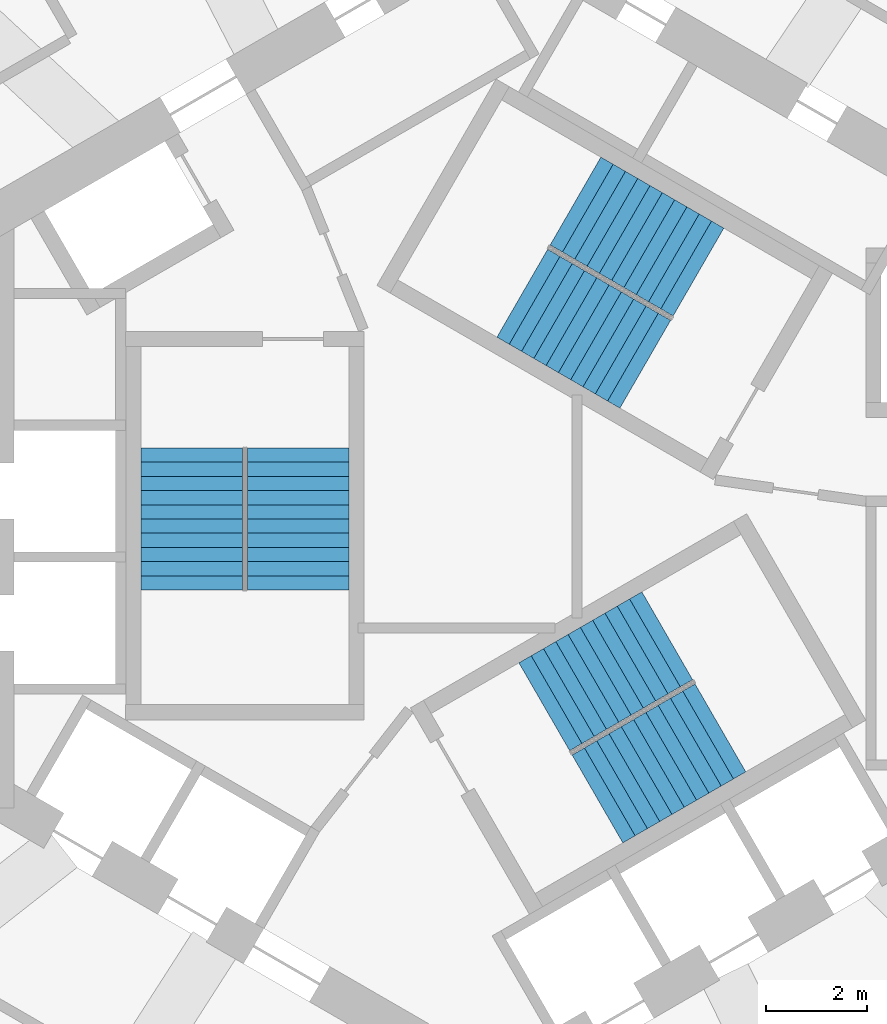
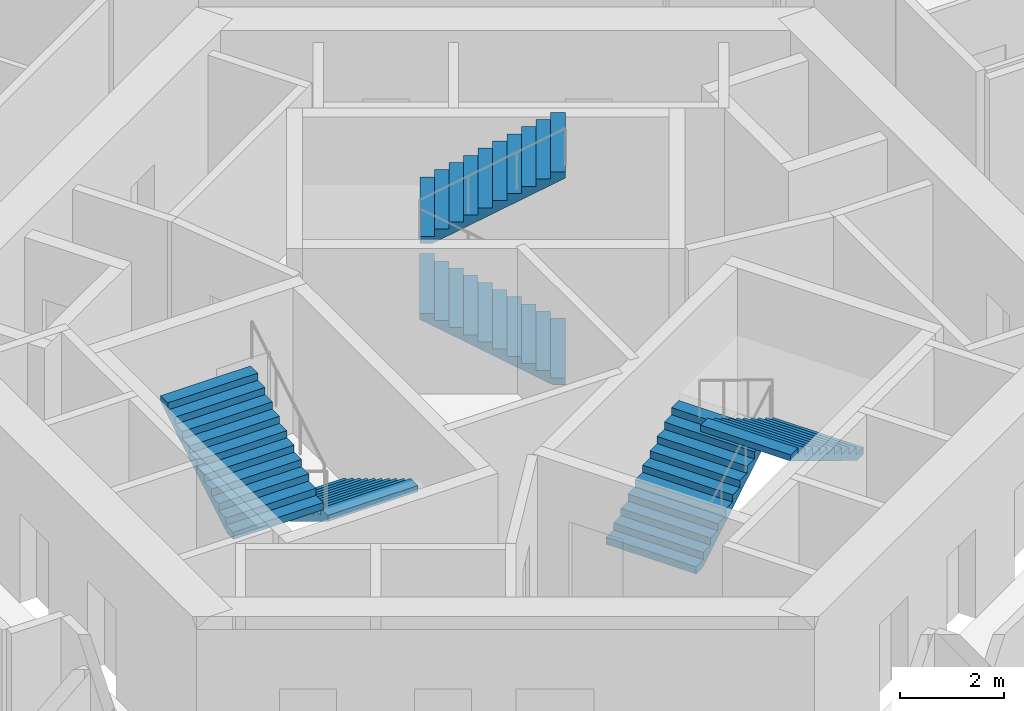
# One storey, part 9 of 11: 6 stair flights, 3 elements without a shape of their own.
"""IFC4 building model written with IfcOpenShell, lengths in metres."""

from ifc_helpers import new_model, si_unit, direction, frame, origin, place, context, subcontext, project, spatial, triangles, source, transform, mapped, material, type_object, element, aggregate, save


model = new_model("IFC4")

# Units and contexts
model_context = context("Model", 3, precision=1e-05, world=origin(), true_north=direction((0.0, 1.0)))
body_context = subcontext(model_context, "Body", "Model", "MODEL_VIEW")
ifc_project = project(units=[si_unit("LENGTHUNIT", "METRE"), si_unit("AREAUNIT", "SQUARE_METRE"), si_unit("VOLUMEUNIT", "CUBIC_METRE"), si_unit("PLANEANGLEUNIT", "RADIAN"), si_unit("MASSUNIT", "GRAM", prefix="KILO")], contexts=[model_context])

# Site, building, storey
site_placement = place(None, origin())
site = spatial("IfcSite", under=ifc_project, at=site_placement, CompositionType="ELEMENT")
building_placement = place(site_placement, origin())
building = spatial("IfcBuilding", under=site, at=building_placement, Name="Vanh Sen Convention Tower", CompositionType="ELEMENT")
storey_placement = place(building_placement, frame((0.0, 0.0, 221.699951171875)))
storey = spatial("IfcBuildingStorey", under=building, at=storey_placement, Name="L54", CompositionType="ELEMENT", Elevation=221.699951171875)

# Stair, stair flights
ifc_material_1 = material(Name="Concrete C50/60", Category="concrete")
stair_type_1 = type_object("IfcStairType", Name="Exit stair ST1 22 risers at 168.2", PredefinedType="HALF_TURN_STAIR", material=ifc_material_1)
stair_1_placement = place(storey_placement, origin())
stair_1 = element("IfcStair", 1, at=stair_1_placement, inside=storey, type_object=stair_type_1, Name="Exit stair ST1 L54", PredefinedType="HALF_TURN_STAIR")
ifc_material_2 = material(Name="Concrete C40/50", Category="concrete")
stair_flight_type = type_object("IfcStairFlightType", Name="Stair flight 2000", PredefinedType="STRAIGHT", material=ifc_material_2)
shared_shape = source(origin(), body_context, "Body", "Tessellation", [
    triangles([(0.24267578125, 1.0, 0.0), (0.0, 1.0, 0.0), (0.0, 1.0, 0.168212890625), (0.280029296875, 1.0, 0.168212890625), (0.280029296875, 1.0, 0.33642578125), (0.56005859375, 1.0, 0.33642578125), (0.56005859375, 1.0, 0.504638671875), (0.840087890625, 1.0, 0.504638671875), (0.840087890625, 1.0, 0.672607421875), (1.1201171875, 1.0, 0.672607421875), (1.1201171875, 1.0, 0.8408203125), (1.39990234375, 1.0, 0.8408203125), (1.39990234375, 1.0, 1.009033203125), (1.679931640625, 1.0, 1.009033203125), (1.679931640625, 1.0, 1.17724609375), (1.9599609375, 1.0, 1.17724609375), (1.9599609375, 1.0, 1.345458984375), (2.239990234375, 1.0, 1.345458984375), (2.239990234375, 1.0, 1.513671875), (2.52001953125, 1.0, 1.513671875), (2.52001953125, 1.0, 1.681884765625), (2.800048828125, 1.0, 1.681884765625), (2.800048828125, 1.0, 1.535888671875), (0.24267578125, -1.0, 0.0), (0.0, -1.0, 0.0), (0.0, -1.0, 0.168212890625), (0.280029296875, -1.0, 0.168212890625), (0.280029296875, -1.0, 0.33642578125), (0.56005859375, -1.0, 0.33642578125), (0.56005859375, -1.0, 0.504638671875), (0.840087890625, -1.0, 0.504638671875), (0.840087890625, -1.0, 0.672607421875), (1.1201171875, -1.0, 0.672607421875), (1.1201171875, -1.0, 0.8408203125), (1.39990234375, -1.0, 0.8408203125), (1.39990234375, -1.0, 1.009033203125), (1.679931640625, -1.0, 1.009033203125), (1.679931640625, -1.0, 1.17724609375), (1.9599609375, -1.0, 1.17724609375), (1.9599609375, -1.0, 1.345458984375), (2.239990234375, -1.0, 1.345458984375), (2.239990234375, -1.0, 1.513671875), (2.52001953125, -1.0, 1.513671875), (2.52001953125, -1.0, 1.681884765625), (2.800048828125, -1.0, 1.681884765625), (2.800048828125, -1.0, 1.535888671875), (0.0, 0.0400390625, 0.0), (0.0, 0.0390625, 0.0), (0.0, 0.0380859375, 0.0), (0.0, 0.037109375, 0.0), (0.0, 0.035888671875, 0.0), (0.0, 0.034912109375, 0.0), (0.0, 0.033935546875, 0.0), (0.0, 0.032958984375, 0.0), (0.0, 0.031982421875, 0.0), (0.0, 0.031005859375, 0.0), (0.0, 0.030029296875, 0.0), (0.0, 0.029052734375, 0.0), (0.0, 0.028076171875, 0.0), (0.0, 0.027099609375, 0.0), (0.0, 0.02587890625, 0.0), (0.0, 0.02490234375, 0.0), (0.0, 0.02392578125, 0.0), (0.0, 0.02294921875, 0.0), (0.0, 0.02197265625, 0.0), (0.0, 0.02099609375, 0.0), (0.0, 0.02001953125, 0.0), (0.0, 0.01904296875, 0.0), (0.0, 0.01806640625, 0.0), (0.0, 0.01708984375, 0.0), (0.0, 0.01611328125, 0.0), (0.0, 0.014892578125, 0.0), (0.0, 0.013916015625, 0.0), (0.0, 0.012939453125, 0.0), (0.0, 0.011962890625, 0.0), (0.0, 0.010986328125, 0.0), (0.0, 0.010009765625, 0.0), (0.0, 0.009033203125, 0.0), (0.0, 0.008056640625, 0.0), (0.0, 0.007080078125, 0.0), (0.0, 0.006103515625, 0.0), (0.0, 0.0048828125, 0.0), (0.0, 0.00390625, 0.0), (0.0, 0.0029296875, 0.0), (0.0, 0.001953125, 0.0), (0.0, 0.0009765625, 0.0), (0.0, 0.0, 0.0), (0.0, -0.0009765625, 0.0), (0.0, -0.001953125, 0.0), (0.0, -0.0029296875, 0.0), (0.0, -0.00390625, 0.0), (0.0, -0.0048828125, 0.0), (0.0, -0.006103515625, 0.0), (0.0, -0.007080078125, 0.0), (0.0, -0.008056640625, 0.0), (0.0, -0.009033203125, 0.0), (0.0, -0.010009765625, 0.0), (0.0, -0.010986328125, 0.0), (0.0, -0.011962890625, 0.0), (0.0, -0.012939453125, 0.0), (0.0, -0.013916015625, 0.0), (0.0, -0.014892578125, 0.0), (0.0, -0.01611328125, 0.0), (0.0, -0.01708984375, 0.0), (0.0, -0.01806640625, 0.0), (0.0, -0.01904296875, 0.0), (0.0, -0.02001953125, 0.0), (0.0, -0.02099609375, 0.0), (0.0, -0.02197265625, 0.0), (0.0, -0.02294921875, 0.0), (0.0, -0.02392578125, 0.0), (0.0, -0.02490234375, 0.0), (0.0, -0.02587890625, 0.0), (0.0, -0.027099609375, 0.0), (0.0, -0.028076171875, 0.0), (0.0, -0.029052734375, 0.0), (0.0, -0.030029296875, 0.0), (0.0, -0.031005859375, 0.0), (0.0, -0.031982421875, 0.0), (0.0, -0.032958984375, 0.0), (0.0, -0.033935546875, 0.0), (0.0, -0.034912109375, 0.0), (0.0, -0.035888671875, 0.0), (0.0, -0.037109375, 0.0), (0.0, -0.0380859375, 0.0), (0.0, -0.0390625, 0.0), (0.0, -0.0400390625, 0.0), (0.0, 0.0400390625, 0.168212890625), (0.0, 0.0390625, 0.168212890625), (0.0, 0.0380859375, 0.168212890625), (0.0, 0.037109375, 0.168212890625), (0.0, 0.035888671875, 0.168212890625), (0.0, 0.034912109375, 0.168212890625), (0.0, 0.033935546875, 0.168212890625), (0.0, 0.032958984375, 0.168212890625), (0.0, 0.031982421875, 0.168212890625), (0.0, 0.031005859375, 0.168212890625), (0.0, 0.030029296875, 0.168212890625), (0.0, 0.029052734375, 0.168212890625), (0.0, 0.028076171875, 0.168212890625), (0.0, 0.027099609375, 0.168212890625), (0.0, 0.02587890625, 0.168212890625), (0.0, 0.02490234375, 0.168212890625), (0.0, 0.02392578125, 0.168212890625), (0.0, 0.02294921875, 0.168212890625), (0.0, 0.02197265625, 0.168212890625), (0.0, 0.02099609375, 0.168212890625), (0.0, 0.02001953125, 0.168212890625), (0.0, 0.01904296875, 0.168212890625), (0.0, 0.01806640625, 0.168212890625), (0.0, 0.01708984375, 0.168212890625), (0.0, 0.01611328125, 0.168212890625), (0.0, 0.014892578125, 0.168212890625), (0.0, 0.013916015625, 0.168212890625), (0.0, 0.012939453125, 0.168212890625), (0.0, 0.011962890625, 0.168212890625), (0.0, 0.010986328125, 0.168212890625), (0.0, 0.010009765625, 0.168212890625), (0.0, 0.009033203125, 0.168212890625), (0.0, 0.008056640625, 0.168212890625), (0.0, 0.007080078125, 0.168212890625), (0.0, 0.006103515625, 0.168212890625), (0.0, 0.0048828125, 0.168212890625), (0.0, 0.00390625, 0.168212890625), (0.0, 0.0029296875, 0.168212890625), (0.0, 0.001953125, 0.168212890625), (0.0, 0.0009765625, 0.168212890625), (0.0, 0.0, 0.168212890625), (0.0, -0.0009765625, 0.168212890625), (0.0, -0.001953125, 0.168212890625), (0.0, -0.0029296875, 0.168212890625), (0.0, -0.00390625, 0.168212890625), (0.0, -0.0048828125, 0.168212890625), (0.0, -0.006103515625, 0.168212890625), (0.0, -0.007080078125, 0.168212890625), (0.0, -0.008056640625, 0.168212890625), (0.0, -0.009033203125, 0.168212890625), (0.0, -0.010009765625, 0.168212890625), (0.0, -0.010986328125, 0.168212890625), (0.0, -0.011962890625, 0.168212890625), (0.0, -0.012939453125, 0.168212890625), (0.0, -0.013916015625, 0.168212890625), (0.0, -0.014892578125, 0.168212890625), (0.0, -0.01611328125, 0.168212890625), (0.0, -0.01708984375, 0.168212890625), (0.0, -0.01806640625, 0.168212890625), (0.0, -0.01904296875, 0.168212890625), (0.0, -0.02001953125, 0.168212890625), (0.0, -0.02099609375, 0.168212890625), (0.0, -0.02197265625, 0.168212890625), (0.0, -0.02294921875, 0.168212890625), (0.0, -0.02392578125, 0.168212890625), (0.0, -0.02490234375, 0.168212890625), (0.0, -0.02587890625, 0.168212890625), (0.0, -0.027099609375, 0.168212890625), (0.0, -0.028076171875, 0.168212890625), (0.0, -0.029052734375, 0.168212890625), (0.0, -0.030029296875, 0.168212890625), (0.0, -0.031005859375, 0.168212890625), (0.0, -0.031982421875, 0.168212890625), (0.0, -0.032958984375, 0.168212890625), (0.0, -0.033935546875, 0.168212890625), (0.0, -0.034912109375, 0.168212890625), (0.0, -0.035888671875, 0.168212890625), (0.0, -0.037109375, 0.168212890625), (0.0, -0.0380859375, 0.168212890625), (0.0, -0.0390625, 0.168212890625), (0.0, -0.0400390625, 0.168212890625), (0.280029296875, 0.0, 0.168212890625), (0.280029296875, 0.0, 0.33642578125), (0.56005859375, 0.0, 0.33642578125), (0.56005859375, 0.0, 0.504638671875), (0.840087890625, 0.0, 0.504638671875), (0.840087890625, 0.0, 0.672607421875), (1.1201171875, 0.0, 0.672607421875), (1.1201171875, 0.0, 0.8408203125), (1.39990234375, 0.0, 0.8408203125), (1.39990234375, 0.0, 1.009033203125), (1.679931640625, 0.0, 1.009033203125), (1.679931640625, 0.0, 1.17724609375), (1.9599609375, 0.0, 1.17724609375), (1.9599609375, 0.0, 1.345458984375), (2.239990234375, 0.0, 1.345458984375), (2.239990234375, 0.0, 1.513671875), (2.52001953125, 0.0, 1.513671875), (2.52001953125, 0.0, 1.681884765625), (2.800048828125, 0.0400390625, 1.681884765625), (2.800048828125, 0.0390625, 1.681884765625), (2.800048828125, 0.0380859375, 1.681884765625), (2.800048828125, 0.037109375, 1.681884765625), (2.800048828125, 0.035888671875, 1.681884765625), (2.800048828125, 0.034912109375, 1.681884765625), (2.800048828125, 0.033935546875, 1.681884765625), (2.800048828125, 0.032958984375, 1.681884765625), (2.800048828125, 0.031982421875, 1.681884765625), (2.800048828125, 0.031005859375, 1.681884765625), (2.800048828125, 0.030029296875, 1.681884765625), (2.800048828125, 0.029052734375, 1.681884765625), (2.800048828125, 0.028076171875, 1.681884765625), (2.800048828125, 0.027099609375, 1.681884765625), (2.800048828125, 0.02587890625, 1.681884765625), (2.800048828125, 0.02490234375, 1.681884765625), (2.800048828125, 0.02392578125, 1.681884765625), (2.800048828125, 0.02294921875, 1.681884765625), (2.800048828125, 0.02197265625, 1.681884765625), (2.800048828125, 0.02099609375, 1.681884765625), (2.800048828125, 0.02001953125, 1.681884765625), (2.800048828125, 0.01904296875, 1.681884765625), (2.800048828125, 0.01806640625, 1.681884765625), (2.800048828125, 0.01708984375, 1.681884765625), (2.800048828125, 0.01611328125, 1.681884765625), (2.800048828125, 0.014892578125, 1.681884765625), (2.800048828125, 0.013916015625, 1.681884765625), (2.800048828125, 0.012939453125, 1.681884765625), (2.800048828125, 0.011962890625, 1.681884765625), (2.800048828125, 0.010986328125, 1.681884765625), (2.800048828125, 0.010009765625, 1.681884765625), (2.800048828125, 0.009033203125, 1.681884765625), (2.800048828125, 0.008056640625, 1.681884765625), (2.800048828125, 0.007080078125, 1.681884765625), (2.800048828125, 0.006103515625, 1.681884765625), (2.800048828125, 0.0048828125, 1.681884765625), (2.800048828125, 0.00390625, 1.681884765625), (2.800048828125, 0.0029296875, 1.681884765625), (2.800048828125, 0.001953125, 1.681884765625), (2.800048828125, 0.0009765625, 1.681884765625), (2.800048828125, 0.0, 1.681884765625), (2.800048828125, -0.0009765625, 1.681884765625), (2.800048828125, -0.001953125, 1.681884765625), (2.800048828125, -0.0029296875, 1.681884765625), (2.800048828125, -0.00390625, 1.681884765625), (2.800048828125, -0.0048828125, 1.681884765625), (2.800048828125, -0.006103515625, 1.681884765625), (2.800048828125, -0.007080078125, 1.681884765625), (2.800048828125, -0.008056640625, 1.681884765625), (2.800048828125, -0.009033203125, 1.681884765625), (2.800048828125, -0.010009765625, 1.681884765625), (2.800048828125, -0.010986328125, 1.681884765625), (2.800048828125, -0.011962890625, 1.681884765625), (2.800048828125, -0.012939453125, 1.681884765625), (2.800048828125, -0.013916015625, 1.681884765625), (2.800048828125, -0.014892578125, 1.681884765625), (2.800048828125, -0.01611328125, 1.681884765625), (2.800048828125, -0.01708984375, 1.681884765625), (2.800048828125, -0.01806640625, 1.681884765625), (2.800048828125, -0.01904296875, 1.681884765625), (2.800048828125, -0.02001953125, 1.681884765625), (2.800048828125, -0.02099609375, 1.681884765625), (2.800048828125, -0.02197265625, 1.681884765625), (2.800048828125, -0.02294921875, 1.681884765625), (2.800048828125, -0.02392578125, 1.681884765625), (2.800048828125, -0.02490234375, 1.681884765625), (2.800048828125, -0.02587890625, 1.681884765625), (2.800048828125, -0.027099609375, 1.681884765625), (2.800048828125, -0.028076171875, 1.681884765625), (2.800048828125, -0.029052734375, 1.681884765625), (2.800048828125, -0.030029296875, 1.681884765625), (2.800048828125, -0.031005859375, 1.681884765625), (2.800048828125, -0.031982421875, 1.681884765625), (2.800048828125, -0.032958984375, 1.681884765625), (2.800048828125, -0.033935546875, 1.681884765625), (2.800048828125, -0.034912109375, 1.681884765625), (2.800048828125, -0.035888671875, 1.681884765625), (2.800048828125, -0.037109375, 1.681884765625), (2.800048828125, -0.0380859375, 1.681884765625), (2.800048828125, -0.0390625, 1.681884765625), (2.800048828125, -0.0400390625, 1.681884765625), (2.800048828125, 0.0400390625, 1.535888671875), (2.800048828125, 0.0390625, 1.535888671875), (2.800048828125, 0.0380859375, 1.535888671875), (2.800048828125, 0.037109375, 1.535888671875), (2.800048828125, 0.035888671875, 1.535888671875), (2.800048828125, 0.034912109375, 1.535888671875), (2.800048828125, 0.033935546875, 1.535888671875), (2.800048828125, 0.032958984375, 1.535888671875), (2.800048828125, 0.031982421875, 1.535888671875), (2.800048828125, 0.031005859375, 1.535888671875), (2.800048828125, 0.030029296875, 1.535888671875), (2.800048828125, 0.029052734375, 1.535888671875), (2.800048828125, 0.028076171875, 1.535888671875), (2.800048828125, 0.027099609375, 1.535888671875), (2.800048828125, 0.02587890625, 1.535888671875), (2.800048828125, 0.02490234375, 1.535888671875), (2.800048828125, 0.02392578125, 1.535888671875), (2.800048828125, 0.02294921875, 1.535888671875), (2.800048828125, 0.02197265625, 1.535888671875), (2.800048828125, 0.02099609375, 1.535888671875), (2.800048828125, 0.02001953125, 1.535888671875), (2.800048828125, 0.01904296875, 1.535888671875), (2.800048828125, 0.01806640625, 1.535888671875), (2.800048828125, 0.01708984375, 1.535888671875), (2.800048828125, 0.01611328125, 1.535888671875), (2.800048828125, 0.014892578125, 1.535888671875), (2.800048828125, 0.013916015625, 1.535888671875), (2.800048828125, 0.012939453125, 1.535888671875), (2.800048828125, 0.011962890625, 1.535888671875), (2.800048828125, 0.010986328125, 1.535888671875), (2.800048828125, 0.010009765625, 1.535888671875), (2.800048828125, 0.009033203125, 1.535888671875), (2.800048828125, 0.008056640625, 1.535888671875), (2.800048828125, 0.007080078125, 1.535888671875), (2.800048828125, 0.006103515625, 1.535888671875), (2.800048828125, 0.0048828125, 1.535888671875), (2.800048828125, 0.00390625, 1.535888671875), (2.800048828125, 0.0029296875, 1.535888671875), (2.800048828125, 0.001953125, 1.535888671875), (2.800048828125, 0.0009765625, 1.535888671875), (2.800048828125, 0.0, 1.535888671875), (2.800048828125, -0.0009765625, 1.535888671875), (2.800048828125, -0.001953125, 1.535888671875), (2.800048828125, -0.0029296875, 1.535888671875), (2.800048828125, -0.00390625, 1.535888671875), (2.800048828125, -0.0048828125, 1.535888671875), (2.800048828125, -0.006103515625, 1.535888671875), (2.800048828125, -0.007080078125, 1.535888671875), (2.800048828125, -0.008056640625, 1.535888671875), (2.800048828125, -0.009033203125, 1.535888671875), (2.800048828125, -0.010009765625, 1.535888671875), (2.800048828125, -0.010986328125, 1.535888671875), (2.800048828125, -0.011962890625, 1.535888671875), (2.800048828125, -0.012939453125, 1.535888671875), (2.800048828125, -0.013916015625, 1.535888671875), (2.800048828125, -0.014892578125, 1.535888671875), (2.800048828125, -0.01611328125, 1.535888671875), (2.800048828125, -0.01708984375, 1.535888671875), (2.800048828125, -0.01806640625, 1.535888671875), (2.800048828125, -0.01904296875, 1.535888671875), (2.800048828125, -0.02001953125, 1.535888671875), (2.800048828125, -0.02099609375, 1.535888671875), (2.800048828125, -0.02197265625, 1.535888671875), (2.800048828125, -0.02294921875, 1.535888671875), (2.800048828125, -0.02392578125, 1.535888671875), (2.800048828125, -0.02490234375, 1.535888671875), (2.800048828125, -0.02587890625, 1.535888671875), (2.800048828125, -0.027099609375, 1.535888671875), (2.800048828125, -0.028076171875, 1.535888671875), (2.800048828125, -0.029052734375, 1.535888671875), (2.800048828125, -0.030029296875, 1.535888671875), (2.800048828125, -0.031005859375, 1.535888671875), (2.800048828125, -0.031982421875, 1.535888671875), (2.800048828125, -0.032958984375, 1.535888671875), (2.800048828125, -0.033935546875, 1.535888671875), (2.800048828125, -0.034912109375, 1.535888671875), (2.800048828125, -0.035888671875, 1.535888671875), (2.800048828125, -0.037109375, 1.535888671875), (2.800048828125, -0.0380859375, 1.535888671875), (2.800048828125, -0.0390625, 1.535888671875), (2.800048828125, -0.0400390625, 1.535888671875), (0.24267578125, 0.0, 0.0)], [[1, 2, 3], [1, 3, 4], [4, 5, 6], [1, 4, 6], [6, 7, 8], [1, 6, 8], [8, 9, 10], [1, 8, 10], [10, 11, 12], [1, 10, 12], [12, 13, 14], [1, 12, 14], [14, 15, 16], [1, 14, 16], [16, 17, 18], [1, 16, 18], [18, 19, 20], [1, 18, 20], [20, 21, 22], [1, 20, 22], [22, 23, 1], [24, 26, 25], [24, 27, 26], [27, 29, 28], [24, 29, 27], [29, 31, 30], [24, 31, 29], [31, 33, 32], [24, 33, 31], [33, 35, 34], [24, 35, 33], [35, 37, 36], [24, 37, 35], [37, 39, 38], [24, 39, 37], [39, 41, 40], [24, 41, 39], [41, 43, 42], [24, 43, 41], [43, 45, 44], [24, 45, 43], [45, 24, 46], [2, 128, 3], [2, 47, 128], [47, 129, 128], [47, 48, 129], [48, 130, 129], [48, 49, 130], [49, 131, 130], [49, 50, 131], [50, 132, 131], [50, 51, 132], [51, 133, 132], [51, 52, 133], [52, 134, 133], [52, 53, 134], [53, 135, 134], [53, 54, 135], [54, 136, 135], [54, 55, 136], [55, 137, 136], [55, 56, 137], [56, 138, 137], [56, 57, 138], [57, 139, 138], [57, 58, 139], [58, 140, 139], [58, 59, 140], [59, 141, 140], [59, 60, 141], [60, 142, 141], [60, 61, 142], [61, 143, 142], [61, 62, 143], [62, 144, 143], [62, 63, 144], [63, 145, 144], [63, 64, 145], [64, 146, 145], [64, 65, 146], [65, 147, 146], [65, 66, 147], [66, 148, 147], [66, 67, 148], [67, 149, 148], [67, 68, 149], [68, 150, 149], [68, 69, 150], [69, 151, 150], [69, 70, 151], [70, 152, 151], [70, 71, 152], [71, 153, 152], [71, 72, 153], [72, 154, 153], [72, 73, 154], [73, 155, 154], [73, 74, 155], [74, 156, 155], [74, 75, 156], [75, 157, 156], [75, 76, 157], [76, 158, 157], [76, 77, 158], [77, 159, 158], [77, 78, 159], [78, 160, 159], [78, 79, 160], [79, 161, 160], [79, 80, 161], [80, 162, 161], [80, 81, 162], [81, 163, 162], [81, 82, 163], [82, 164, 163], [82, 83, 164], [83, 165, 164], [83, 84, 165], [84, 166, 165], [84, 85, 166], [85, 167, 166], [85, 86, 167], [86, 168, 167], [86, 87, 168], [87, 88, 168], [168, 88, 169], [88, 89, 169], [169, 89, 170], [89, 90, 170], [170, 90, 171], [90, 91, 171], [171, 91, 172], [91, 92, 172], [172, 92, 173], [92, 93, 173], [173, 93, 174], [93, 94, 174], [174, 94, 175], [94, 95, 175], [175, 95, 176], [95, 96, 176], [176, 96, 177], [96, 97, 177], [177, 97, 178], [97, 98, 178], [178, 98, 179], [98, 99, 179], [179, 99, 180], [99, 100, 180], [180, 100, 181], [100, 101, 181], [181, 101, 182], [101, 102, 182], [182, 102, 183], [102, 103, 183], [183, 103, 184], [103, 104, 184], [184, 104, 185], [104, 105, 185], [185, 105, 186], [105, 106, 186], [186, 106, 187], [106, 107, 187], [187, 107, 188], [107, 108, 188], [188, 108, 189], [108, 109, 189], [189, 109, 190], [109, 110, 190], [190, 110, 191], [110, 111, 191], [191, 111, 192], [111, 112, 192], [192, 112, 193], [112, 113, 193], [193, 113, 194], [113, 114, 194], [194, 114, 195], [114, 115, 195], [195, 115, 196], [115, 116, 196], [196, 116, 197], [116, 117, 197], [197, 117, 198], [117, 118, 198], [198, 118, 199], [118, 119, 199], [199, 119, 200], [119, 120, 200], [200, 120, 201], [120, 121, 201], [201, 121, 202], [121, 122, 202], [202, 122, 203], [122, 123, 203], [203, 123, 204], [123, 124, 204], [204, 124, 205], [124, 125, 205], [205, 125, 206], [125, 126, 206], [206, 126, 207], [126, 127, 207], [207, 127, 208], [127, 25, 208], [208, 25, 26], [4, 3, 128], [4, 128, 129], [4, 129, 130], [4, 130, 131], [4, 131, 132], [4, 132, 133], [4, 133, 134], [4, 134, 135], [4, 135, 136], [4, 136, 137], [4, 137, 138], [4, 138, 139], [4, 139, 140], [4, 140, 141], [4, 141, 142], [4, 142, 143], [4, 143, 144], [4, 144, 145], [4, 145, 146], [4, 146, 147], [4, 147, 148], [4, 148, 149], [4, 149, 150], [4, 150, 151], [4, 151, 152], [4, 152, 153], [4, 153, 154], [4, 154, 155], [4, 155, 156], [4, 156, 157], [4, 157, 158], [4, 158, 159], [4, 159, 160], [4, 160, 161], [4, 161, 162], [4, 162, 163], [4, 163, 164], [4, 164, 165], [4, 165, 166], [4, 166, 167], [4, 167, 168], [27, 168, 169], [27, 169, 170], [27, 170, 171], [27, 171, 172], [27, 172, 173], [27, 173, 174], [27, 174, 175], [27, 175, 176], [27, 176, 177], [27, 177, 178], [27, 178, 179], [27, 179, 180], [27, 180, 181], [27, 181, 182], [27, 182, 183], [27, 183, 184], [27, 184, 185], [27, 185, 186], [27, 186, 187], [27, 187, 188], [27, 188, 189], [27, 189, 190], [27, 190, 191], [27, 191, 192], [27, 192, 193], [27, 193, 194], [27, 194, 195], [27, 195, 196], [27, 196, 197], [27, 197, 198], [27, 198, 199], [27, 199, 200], [27, 200, 201], [27, 201, 202], [27, 202, 203], [27, 203, 204], [27, 204, 205], [27, 205, 206], [27, 206, 207], [27, 207, 208], [27, 208, 26], [4, 168, 209], [27, 209, 168], [4, 210, 5], [4, 209, 210], [209, 27, 210], [210, 27, 28], [5, 211, 6], [5, 210, 211], [210, 28, 211], [211, 28, 29], [6, 212, 7], [6, 211, 212], [211, 29, 212], [212, 29, 30], [7, 213, 8], [7, 212, 213], [212, 30, 213], [213, 30, 31], [8, 214, 9], [8, 213, 214], [213, 31, 214], [214, 31, 32], [9, 215, 10], [9, 214, 215], [214, 32, 215], [215, 32, 33], [10, 216, 11], [10, 215, 216], [215, 33, 216], [216, 33, 34], [11, 217, 12], [11, 216, 217], [216, 34, 217], [217, 34, 35], [12, 218, 13], [12, 217, 218], [217, 35, 218], [218, 35, 36], [13, 219, 14], [13, 218, 219], [218, 36, 219], [219, 36, 37], [14, 220, 15], [14, 219, 220], [219, 37, 220], [220, 37, 38], [15, 221, 16], [15, 220, 221], [220, 38, 221], [221, 38, 39], [16, 222, 17], [16, 221, 222], [221, 39, 222], [222, 39, 40], [17, 223, 18], [17, 222, 223], [222, 40, 223], [223, 40, 41], [18, 224, 19], [18, 223, 224], [223, 41, 224], [224, 41, 42], [19, 225, 20], [19, 224, 225], [224, 42, 225], [225, 42, 43], [20, 226, 21], [20, 225, 226], [225, 43, 226], [226, 43, 44], [21, 227, 22], [21, 228, 227], [21, 229, 228], [21, 230, 229], [21, 231, 230], [21, 232, 231], [21, 233, 232], [21, 234, 233], [21, 235, 234], [21, 236, 235], [21, 237, 236], [21, 238, 237], [21, 239, 238], [21, 240, 239], [21, 241, 240], [21, 242, 241], [21, 243, 242], [21, 244, 243], [21, 245, 244], [21, 246, 245], [21, 247, 246], [21, 248, 247], [21, 249, 248], [21, 250, 249], [21, 251, 250], [21, 252, 251], [21, 253, 252], [21, 254, 253], [21, 255, 254], [21, 256, 255], [21, 257, 256], [21, 258, 257], [21, 259, 258], [21, 260, 259], [21, 261, 260], [21, 262, 261], [21, 263, 262], [21, 264, 263], [21, 265, 264], [21, 266, 265], [21, 267, 266], [44, 268, 267], [44, 269, 268], [44, 270, 269], [44, 271, 270], [44, 272, 271], [44, 273, 272], [44, 274, 273], [44, 275, 274], [44, 276, 275], [44, 277, 276], [44, 278, 277], [44, 279, 278], [44, 280, 279], [44, 281, 280], [44, 282, 281], [44, 283, 282], [44, 284, 283], [44, 285, 284], [44, 286, 285], [44, 287, 286], [44, 288, 287], [44, 289, 288], [44, 290, 289], [44, 291, 290], [44, 292, 291], [44, 293, 292], [44, 294, 293], [44, 295, 294], [44, 296, 295], [44, 297, 296], [44, 298, 297], [44, 299, 298], [44, 300, 299], [44, 301, 300], [44, 302, 301], [44, 303, 302], [44, 304, 303], [44, 305, 304], [44, 306, 305], [44, 307, 306], [44, 45, 307], [21, 226, 267], [44, 267, 226], [22, 308, 23], [22, 227, 308], [227, 309, 308], [227, 228, 309], [228, 310, 309], [228, 229, 310], [229, 311, 310], [229, 230, 311], [230, 312, 311], [230, 231, 312], [231, 313, 312], [231, 232, 313], [232, 314, 313], [232, 233, 314], [233, 315, 314], [233, 234, 315], [234, 316, 315], [234, 235, 316], [235, 317, 316], [235, 236, 317], [236, 318, 317], [236, 237, 318], [237, 319, 318], [237, 238, 319], [238, 320, 319], [238, 239, 320], [239, 321, 320], [239, 240, 321], [240, 322, 321], [240, 241, 322], [241, 323, 322], [241, 242, 323], [242, 324, 323], [242, 243, 324], [243, 325, 324], [243, 244, 325], [244, 326, 325], [244, 245, 326], [245, 327, 326], [245, 246, 327], [246, 328, 327], [246, 247, 328], [247, 329, 328], [247, 248, 329], [248, 330, 329], [248, 249, 330], [249, 331, 330], [249, 250, 331], [250, 332, 331], [250, 251, 332], [251, 333, 332], [251, 252, 333], [252, 334, 333], [252, 253, 334], [253, 335, 334], [253, 254, 335], [254, 336, 335], [254, 255, 336], [255, 337, 336], [255, 256, 337], [256, 338, 337], [256, 257, 338], [257, 339, 338], [257, 258, 339], [258, 340, 339], [258, 259, 340], [259, 341, 340], [259, 260, 341], [260, 342, 341], [260, 261, 342], [261, 343, 342], [261, 262, 343], [262, 344, 343], [262, 263, 344], [263, 345, 344], [263, 264, 345], [264, 346, 345], [264, 265, 346], [265, 347, 346], [265, 266, 347], [266, 348, 347], [266, 267, 348], [267, 268, 348], [348, 268, 349], [268, 269, 349], [349, 269, 350], [269, 270, 350], [350, 270, 351], [270, 271, 351], [351, 271, 352], [271, 272, 352], [352, 272, 353], [272, 273, 353], [353, 273, 354], [273, 274, 354], [354, 274, 355], [274, 275, 355], [355, 275, 356], [275, 276, 356], [356, 276, 357], [276, 277, 357], [357, 277, 358], [277, 278, 358], [358, 278, 359], [278, 279, 359], [359, 279, 360], [279, 280, 360], [360, 280, 361], [280, 281, 361], [361, 281, 362], [281, 282, 362], [362, 282, 363], [282, 283, 363], [363, 283, 364], [283, 284, 364], [364, 284, 365], [284, 285, 365], [365, 285, 366], [285, 286, 366], [366, 286, 367], [286, 287, 367], [367, 287, 368], [287, 288, 368], [368, 288, 369], [288, 289, 369], [369, 289, 370], [289, 290, 370], [370, 290, 371], [290, 291, 371], [371, 291, 372], [291, 292, 372], [372, 292, 373], [292, 293, 373], [373, 293, 374], [293, 294, 374], [374, 294, 375], [294, 295, 375], [375, 295, 376], [295, 296, 376], [376, 296, 377], [296, 297, 377], [377, 297, 378], [297, 298, 378], [378, 298, 379], [298, 299, 379], [379, 299, 380], [299, 300, 380], [380, 300, 381], [300, 301, 381], [381, 301, 382], [301, 302, 382], [382, 302, 383], [302, 303, 383], [383, 303, 384], [303, 304, 384], [384, 304, 385], [304, 305, 385], [385, 305, 386], [305, 306, 386], [386, 306, 387], [306, 307, 387], [387, 307, 388], [307, 45, 388], [388, 45, 46], [1, 23, 308], [1, 308, 309], [1, 309, 310], [1, 310, 311], [1, 311, 312], [1, 312, 313], [1, 313, 314], [1, 314, 315], [1, 315, 316], [1, 316, 317], [1, 317, 318], [1, 318, 319], [1, 319, 320], [1, 320, 321], [1, 321, 322], [1, 322, 323], [1, 323, 324], [1, 324, 325], [1, 325, 326], [1, 326, 327], [1, 327, 328], [1, 328, 329], [1, 329, 330], [1, 330, 331], [1, 331, 332], [1, 332, 333], [1, 333, 334], [1, 334, 335], [1, 335, 336], [1, 336, 337], [1, 337, 338], [1, 338, 339], [1, 339, 340], [1, 340, 341], [1, 341, 342], [1, 342, 343], [1, 343, 344], [1, 344, 345], [1, 345, 346], [1, 346, 347], [1, 347, 348], [24, 348, 349], [24, 349, 350], [24, 350, 351], [24, 351, 352], [24, 352, 353], [24, 353, 354], [24, 354, 355], [24, 355, 356], [24, 356, 357], [24, 357, 358], [24, 358, 359], [24, 359, 360], [24, 360, 361], [24, 361, 362], [24, 362, 363], [24, 363, 364], [24, 364, 365], [24, 365, 366], [24, 366, 367], [24, 367, 368], [24, 368, 369], [24, 369, 370], [24, 370, 371], [24, 371, 372], [24, 372, 373], [24, 373, 374], [24, 374, 375], [24, 375, 376], [24, 376, 377], [24, 377, 378], [24, 378, 379], [24, 379, 380], [24, 380, 381], [24, 381, 382], [24, 382, 383], [24, 383, 384], [24, 384, 385], [24, 385, 386], [24, 386, 387], [24, 387, 388], [24, 388, 46], [1, 348, 389], [24, 389, 348], [1, 47, 2], [1, 48, 47], [1, 49, 48], [1, 50, 49], [1, 51, 50], [1, 52, 51], [1, 53, 52], [1, 54, 53], [1, 55, 54], [1, 56, 55], [1, 57, 56], [1, 58, 57], [1, 59, 58], [1, 60, 59], [1, 61, 60], [1, 62, 61], [1, 63, 62], [1, 64, 63], [1, 65, 64], [1, 66, 65], [1, 67, 66], [1, 68, 67], [1, 69, 68], [1, 70, 69], [1, 71, 70], [1, 72, 71], [1, 73, 72], [1, 74, 73], [1, 75, 74], [1, 76, 75], [1, 77, 76], [1, 78, 77], [1, 79, 78], [1, 80, 79], [1, 81, 80], [1, 82, 81], [1, 83, 82], [1, 84, 83], [1, 85, 84], [1, 86, 85], [1, 87, 86], [24, 88, 87], [24, 89, 88], [24, 90, 89], [24, 91, 90], [24, 92, 91], [24, 93, 92], [24, 94, 93], [24, 95, 94], [24, 96, 95], [24, 97, 96], [24, 98, 97], [24, 99, 98], [24, 100, 99], [24, 101, 100], [24, 102, 101], [24, 103, 102], [24, 104, 103], [24, 105, 104], [24, 106, 105], [24, 107, 106], [24, 108, 107], [24, 109, 108], [24, 110, 109], [24, 111, 110], [24, 112, 111], [24, 113, 112], [24, 114, 113], [24, 115, 114], [24, 116, 115], [24, 117, 116], [24, 118, 117], [24, 119, 118], [24, 120, 119], [24, 121, 120], [24, 122, 121], [24, 123, 122], [24, 124, 123], [24, 125, 124], [24, 126, 125], [24, 127, 126], [24, 25, 127], [1, 389, 87], [24, 87, 389]], closed=True),
])
stair_flight_1_placement = place(storey_placement, frame((2.94580078125, 2.802490234375, 0.0), z_axis=(0.0, 0.0, 1.0), x_axis=(-0.866025403784, 0.5, 0.0)))
stair_flight_1 = element("IfcStairFlight", 2, at=stair_flight_1_placement, type_object=stair_flight_type, Name="ST1 flight 1", NumberOfRisers=11, NumberOfTreads=10, PredefinedType="STRAIGHT", RiserHeight=0.168181818, TreadLength=0.28, context=body_context, shape_type="MappedRepresentation", body=[
    mapped(shared_shape, transform((0.0, 0.0, 0.0))),
])
stair_flight_2_placement = place(storey_placement, frame((1.571044921875, 6.021240234375, 1.85009765625), z_axis=(0.0, 0.0, 1.0), x_axis=(0.866025403784, -0.5, 0.0)))
stair_flight_2 = element("IfcStairFlight", 3, at=stair_flight_2_placement, type_object=stair_flight_type, Name="ST1 flight 2", NumberOfRisers=11, NumberOfTreads=10, PredefinedType="STRAIGHT", RiserHeight=0.168181818, TreadLength=0.28, context=body_context, shape_type="MappedRepresentation", body=[
    mapped(shared_shape, transform((0.0, 0.0, 0.0))),
])
aggregate(stair_1, [stair_flight_1, stair_flight_2])

stair_type_2 = type_object("IfcStairType", Name="Exit stair ST2 22 risers at 168.2", PredefinedType="HALF_TURN_STAIR", material=ifc_material_1)
stair_2_placement = place(storey_placement, origin())
stair_2 = element("IfcStair", 4, at=stair_2_placement, inside=storey, type_object=stair_type_2, Name="Exit stair ST2 L54", PredefinedType="HALF_TURN_STAIR")
stair_flight_3_placement = place(storey_placement, frame((-3.89990234375, 1.14990234375, 0.0), z_axis=(0.0, 0.0, 1.0), x_axis=(0.0, -1.0, 0.0)))
stair_flight_3 = element("IfcStairFlight", 5, at=stair_flight_3_placement, type_object=stair_flight_type, Name="ST2 flight 1", NumberOfRisers=11, NumberOfTreads=10, PredefinedType="STRAIGHT", RiserHeight=0.168181818, TreadLength=0.28, context=body_context, shape_type="MappedRepresentation", body=[
    mapped(shared_shape, transform((0.0, 0.0, 0.0))),
])
stair_flight_4_placement = place(storey_placement, frame((-6.0, -1.64990234375, 1.85009765625), z_axis=(0.0, 0.0, 1.0), x_axis=(0.0, 1.0, 0.0)))
stair_flight_4 = element("IfcStairFlight", 6, at=stair_flight_4_placement, type_object=stair_flight_type, Name="ST2 flight 2", NumberOfRisers=11, NumberOfTreads=10, PredefinedType="STRAIGHT", RiserHeight=0.168181818, TreadLength=0.28, context=body_context, shape_type="MappedRepresentation", body=[
    mapped(shared_shape, transform((0.0, 0.0, 0.0))),
])
aggregate(stair_2, [stair_flight_3, stair_flight_4])

stair_type_3 = type_object("IfcStairType", Name="Exit stair ST3 22 risers at 168.2", PredefinedType="HALF_TURN_STAIR", material=ifc_material_1)
stair_3_placement = place(storey_placement, origin())
stair_3 = element("IfcStair", 7, at=stair_3_placement, inside=storey, type_object=stair_type_3, Name="Exit stair ST3 L54", PredefinedType="HALF_TURN_STAIR")
stair_flight_5_placement = place(storey_placement, frame((0.9541015625, -3.952392578125, 0.0), z_axis=(0.0, 0.0, 1.0), x_axis=(0.866025403784, 0.5, 0.0)))
stair_flight_5 = element("IfcStairFlight", 8, at=stair_flight_5_placement, type_object=stair_flight_type, Name="ST3 flight 1", NumberOfRisers=11, NumberOfTreads=10, PredefinedType="STRAIGHT", RiserHeight=0.168181818, TreadLength=0.28, context=body_context, shape_type="MappedRepresentation", body=[
    mapped(shared_shape, transform((0.0, 0.0, 0.0))),
])
stair_flight_6_placement = place(storey_placement, frame((4.428955078125, -4.37109375, 1.85009765625), z_axis=(0.0, 0.0, 1.0), x_axis=(-0.866025403784, -0.5, 0.0)))
stair_flight_6 = element("IfcStairFlight", 9, at=stair_flight_6_placement, type_object=stair_flight_type, Name="ST3 flight 2", NumberOfRisers=11, NumberOfTreads=10, PredefinedType="STRAIGHT", RiserHeight=0.168181818, TreadLength=0.28, context=body_context, shape_type="MappedRepresentation", body=[
    mapped(shared_shape, transform((0.0, 0.0, 0.0))),
])
aggregate(stair_3, [stair_flight_5, stair_flight_6])

save(model, "model.ifc")
